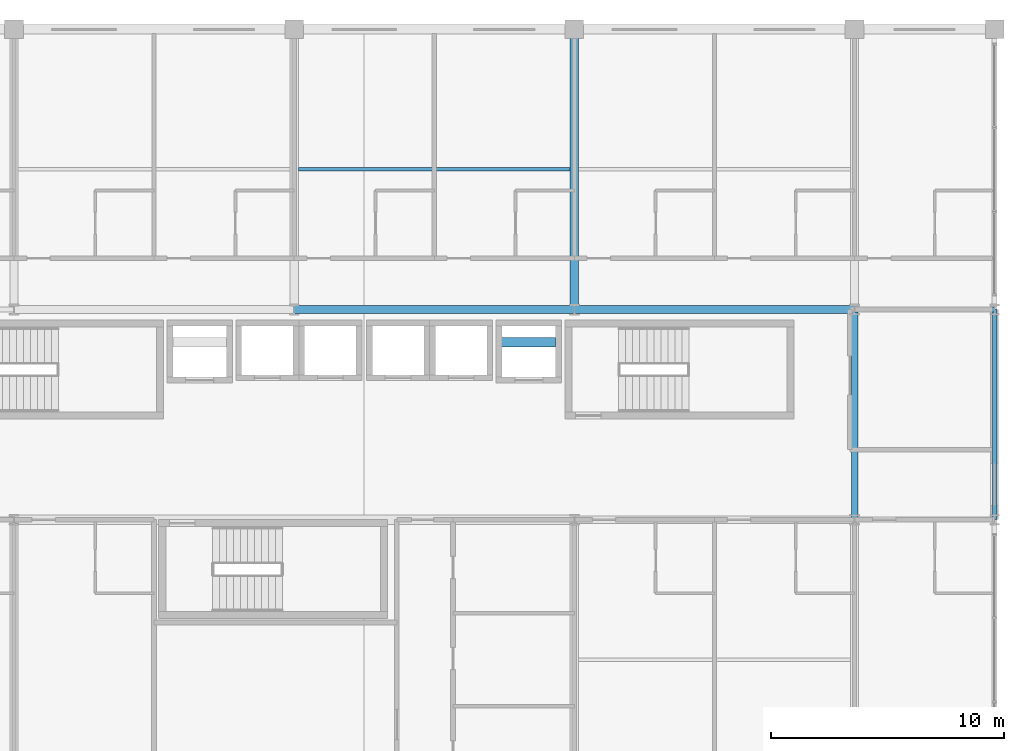
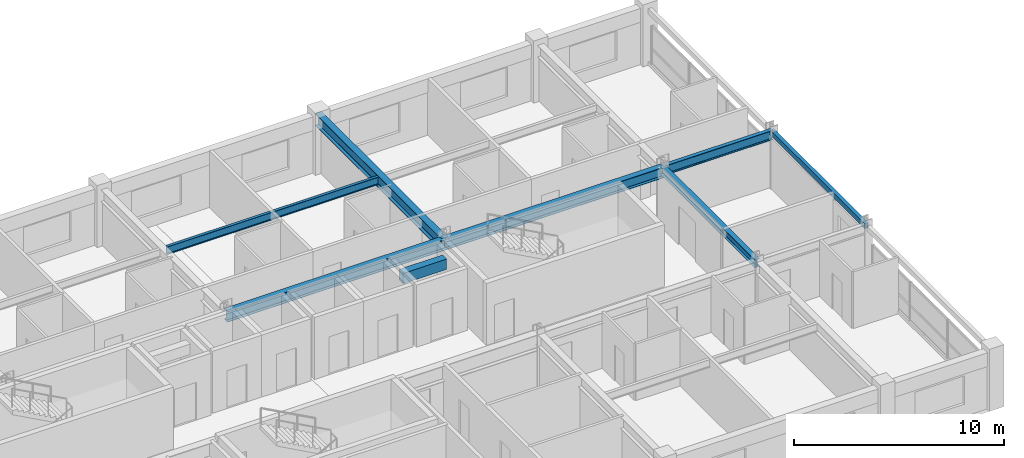
# One storey, part 13 of 26: 8 beams.
"""IFC4 building model written with IfcOpenShell, lengths in metres."""

from ifc_helpers import new_model, si_unit, direction, frame, origin, origin_2d, place, context, subcontext, project, spatial, rectangle, hollow_rectangle, i_section, extrude, material, material_profile, profile_set, type_object, element, save


model = new_model("IFC4")

# Units and contexts
model_context = context("Model", 3, precision=1e-05, world=origin(), true_north=direction((0.0, 1.0)))
body_context = subcontext(model_context, "Body", "Model", "MODEL_VIEW")
ifc_project = project(units=[si_unit("LENGTHUNIT", "METRE"), si_unit("AREAUNIT", "SQUARE_METRE"), si_unit("VOLUMEUNIT", "CUBIC_METRE"), si_unit("PLANEANGLEUNIT", "RADIAN"), si_unit("MASSUNIT", "GRAM", prefix="KILO")], contexts=[model_context])

# Site, building, storey
site_placement = place(None, origin())
site = spatial("IfcSite", under=ifc_project, at=site_placement, CompositionType="ELEMENT")
building_placement = place(site_placement, origin())
building = spatial("IfcBuilding", under=site, at=building_placement, Name="Kaldorvane Square Convention Centre", CompositionType="ELEMENT")
storey_placement = place(building_placement, frame((0.0, 0.0, 42.0)))
storey = spatial("IfcBuildingStorey", under=building, at=storey_placement, Name="L09", CompositionType="ELEMENT", Elevation=42.0)

# Beams
ifc_material_1 = material(Name="Steel ASTM A992 Gr. 50", Category="steel")
ifc_material_profile_1 = material_profile(ifc_material_1, i_section(OverallWidth=0.213897705078125, OverallDepth=0.549102783203125, WebThickness=0.0146942138671875, FlangeThickness=0.0236053466796875, FilletRadius=0.0126953125, at=origin_2d()), Name="W21X93")
ifc_profile_set_1 = profile_set([ifc_material_profile_1], Name="Steel ASTM A992 Gr. 50")
beam_type_1 = type_object("IfcBeamType", Name="BM-GR-W21X93", PredefinedType="BEAM", material=ifc_profile_set_1)
beam_1_placement = place(storey_placement, frame((78.0, 105.0, 3.011505126953125), z_axis=(1.0, 0.0, 0.0), x_axis=(0.0, 1.0, 0.0)))
element("IfcBeam", 1, at=beam_1_placement, inside=storey, type_object=beam_type_1, Name="Primary Girder (L09)", PredefinedType="BEAM", context=body_context, shape_type="SweptSolid", body=[
    extrude(i_section(OverallWidth=0.213897705078125, OverallDepth=0.549102783203125, WebThickness=0.0146942138671875, FlangeThickness=0.0236053466796875, FilletRadius=0.0126953125, at=origin_2d()), origin(), (0.0, 0.0, 1.0), 6.0),
])
ifc_material_profile_2 = material_profile(ifc_material_1, i_section(OverallWidth=0.326507568359375, OverallDepth=0.621795654296875, WebThickness=0.0153961181640625, FlangeThickness=0.0243988037109375, FilletRadius=0.0126953125, at=origin_2d()), Name="W24X131")
ifc_profile_set_2 = profile_set([ifc_material_profile_2], Name="Steel ASTM A992 Gr. 50")
beam_type_2 = type_object("IfcBeamType", Name="BM-GR-W24X131", PredefinedType="BEAM", material=ifc_profile_set_2)
for number, where, z_axis, x_axis, name in (
    (2, (54.0, 105.0, 2.97509765625), (1.0, 0.0, 0.0), (0.0, 1.0, 0.0), "Primary Girder (L09)"),
    (3, (66.0, 105.0, 2.97509765625), (1.0, 0.0, 0.0), (0.0, 1.0, 0.0), "Primary Girder (L09)"),
):
    element("IfcBeam", number, at=place(storey_placement, frame(where, z_axis=z_axis, x_axis=x_axis)), inside=storey, type_object=beam_type_2, Name=name, PredefinedType="BEAM", context=body_context, shape_type="SweptSolid", body=[
        extrude(i_section(OverallWidth=0.326507568359375, OverallDepth=0.621795654296875, WebThickness=0.0153961181640625, FlangeThickness=0.0243988037109375, FilletRadius=0.0126953125, at=origin_2d()), origin(), (0.0, 0.0, 1.0), 12.0),
    ])
ifc_material_profile_3 = material_profile(ifc_material_1, i_section(OverallWidth=0.354705810546875, OverallDepth=0.69549560546875, WebThickness=0.0153961181640625, FlangeThickness=0.0251007080078125, FilletRadius=0.01519775390625, at=origin_2d()), Name="W27X146")
ifc_profile_set_3 = profile_set([ifc_material_profile_3], Name="Steel ASTM A992 Gr. 50")
beam_type_3 = type_object("IfcBeamType", Name="BM-GR-W27X146", PredefinedType="BEAM", material=ifc_profile_set_3)
beam_2_placement = place(storey_placement, frame((66.0, 105.0, 2.93829345703125), z_axis=(0.0, 1.0, 0.0), x_axis=(-1.0, 0.0, 0.0)))
element("IfcBeam", 4, at=beam_2_placement, inside=storey, type_object=beam_type_3, Name="Transverse Girder (L09)", PredefinedType="BEAM", context=body_context, shape_type="SweptSolid", body=[
    extrude(i_section(OverallWidth=0.354705810546875, OverallDepth=0.69549560546875, WebThickness=0.0153961181640625, FlangeThickness=0.0251007080078125, FilletRadius=0.01519775390625, at=origin_2d()), origin(), (0.0, 0.0, 1.0), 12.0),
])
ifc_material_profile_4 = material_profile(ifc_material_1, i_section(OverallWidth=0.152801513671875, OverallDepth=0.4546966552734375, WebThickness=0.00799560546875, FlangeThickness=0.0133056640625, FilletRadius=0.01019287109375, at=origin_2d()), Name="W18X40")
ifc_profile_set_4 = profile_set([ifc_material_profile_4], Name="Steel ASTM A992 Gr. 50")
beam_type_4 = type_object("IfcBeamType", Name="BM-JS-W18X40", PredefinedType="JOIST", material=ifc_profile_set_4)
beam_3_placement = place(storey_placement, frame((54.17730712890625, 111.0, 3.0587005615234375), z_axis=(1.0, 0.0, 0.0), x_axis=(0.0, 1.0, 0.0)))
element("IfcBeam", 5, at=beam_3_placement, inside=storey, type_object=beam_type_4, Name="Secondary Floor Joist (L09)", PredefinedType="JOIST", context=body_context, shape_type="SweptSolid", body=[
    extrude(i_section(OverallWidth=0.152801513671875, OverallDepth=0.4546966552734375, WebThickness=0.00799560546875, FlangeThickness=0.0133056640625, FilletRadius=0.01019287109375, at=origin_2d()), origin(), (0.0, 0.0, 1.0), 11.645294189453125),
])
ifc_material_profile_5 = material_profile(ifc_material_1, i_section(OverallWidth=0.2799072265625, OverallDepth=0.462799072265625, WebThickness=0.01080322265625, FlangeThickness=0.017303466796875, FilletRadius=0.01019287109375, at=origin_2d()), Name="W18X76")
ifc_profile_set_5 = profile_set([ifc_material_profile_5], Name="Steel ASTM A992 Gr. 50")
beam_type_5 = type_object("IfcBeamType", Name="BM-JS-W18X76", PredefinedType="JOIST", material=ifc_profile_set_5)
beam_4_placement = place(storey_placement, frame((78.0, 96.0, 3.054595947265625), z_axis=(0.0, 1.0, 0.0), x_axis=(-1.0, 0.0, 0.0)))
element("IfcBeam", 6, at=beam_4_placement, inside=storey, type_object=beam_type_5, Name="Transverse Girder (L09)", PredefinedType="JOIST", context=body_context, shape_type="SweptSolid", body=[
    extrude(i_section(OverallWidth=0.2799072265625, OverallDepth=0.462799072265625, WebThickness=0.01080322265625, FlangeThickness=0.017303466796875, FilletRadius=0.01019287109375, at=origin_2d()), origin(), (0.0, 0.0, 1.0), 9.0),
])
ifc_material_2 = material(Name="Concrete f'c = 42 MPa (Normalweight)", Category="concrete")
ifc_material_profile_6 = material_profile(ifc_material_2, rectangle(XDim=0.399993896484375, YDim=0.600006103515625, at=origin_2d()), Name="RCLN600X400")
ifc_profile_set_6 = profile_set([ifc_material_profile_6], Name="Concrete f'c = 42 MPa (Normalweight)")
beam_type_6 = type_object("IfcBeamType", Name="BM-LN-RC600", PredefinedType="LINTEL", material=ifc_profile_set_6)
beam_5_placement = place(storey_placement, frame((62.80000305175781, 103.60000610351562, 2.988006591796875), z_axis=(1.0, 0.0, 0.0), x_axis=(0.0, 1.0, 0.0)))
element("IfcBeam", 7, at=beam_5_placement, inside=storey, type_object=beam_type_6, Name="Core Coupling Lintel E (L09)", PredefinedType="LINTEL", context=body_context, shape_type="SweptSolid", body=[
    extrude(rectangle(XDim=0.399993896484375, YDim=0.600006103515625, at=origin_2d()), origin(), (0.0, 0.0, 1.0), 2.399993896484375),
])
ifc_material_3 = material(Name="Steel ASTM A500 Gr. C", Category="steel")
ifc_material_profile_7 = material_profile(ifc_material_3, hollow_rectangle(XDim=0.2032012939453125, YDim=0.3047943115234375, WallThickness=0.0088958740234375, at=origin_2d()), Name="HSS12X8X3/8")
ifc_profile_set_7 = profile_set([ifc_material_profile_7], Name="Steel ASTM A500 Gr. C")
beam_type_7 = type_object("IfcBeamType", Name="BM-SP-HSS12", PredefinedType="SPANDREL", material=ifc_profile_set_7)
beam_6_placement = place(storey_placement, frame((84.0, 96.0, 3.13360595703125), z_axis=(0.0, 1.0, 0.0), x_axis=(-1.0, 0.0, 0.0)))
element("IfcBeam", 8, at=beam_6_placement, inside=storey, type_object=beam_type_7, Name="End Spandrel (L09)", PredefinedType="SPANDREL", context=body_context, shape_type="SweptSolid", body=[
    extrude(hollow_rectangle(XDim=0.2032012939453125, YDim=0.3047943115234375, WallThickness=0.0088958740234375, at=origin_2d()), origin(), (0.0, 0.0, 1.0), 9.0),
])

save(model, "model.ifc")
